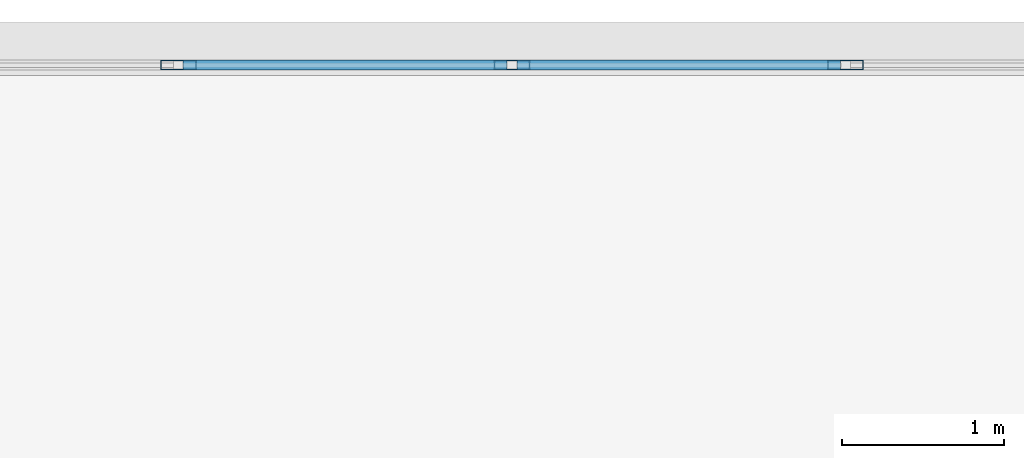
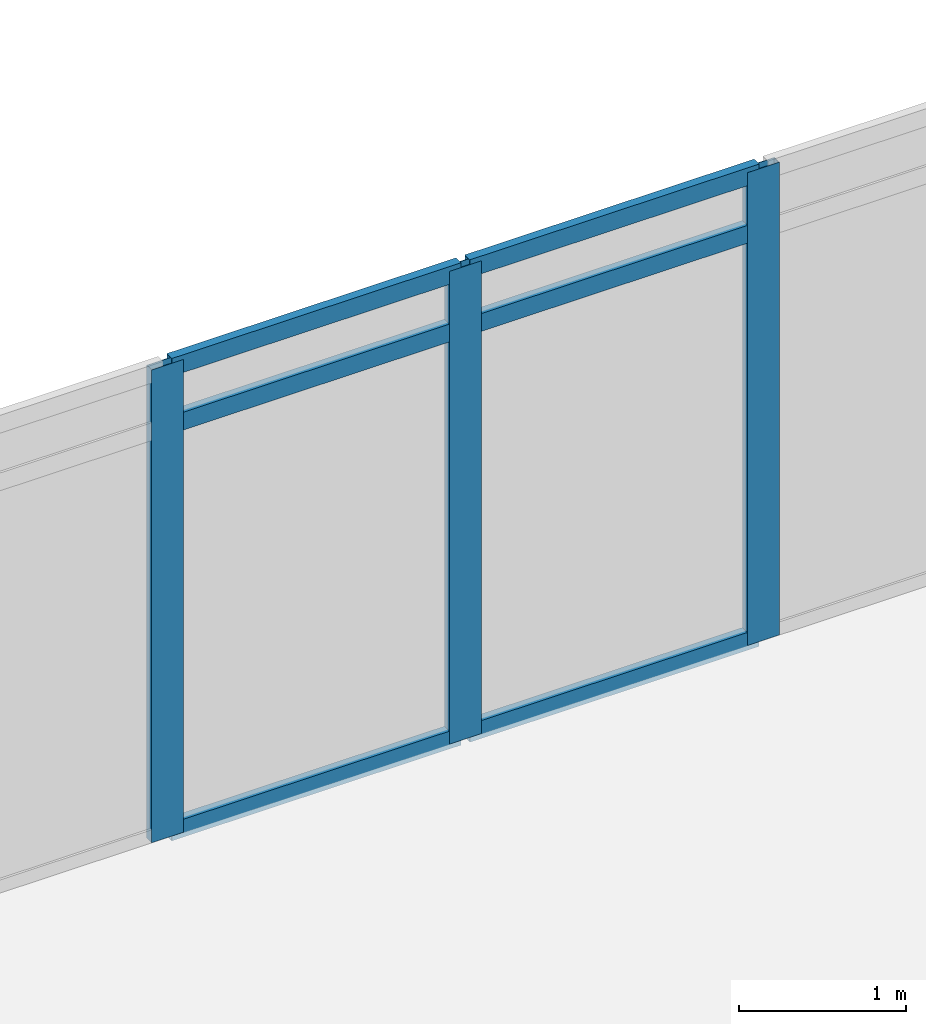
# One storey, part 15 of 28: 9 members, 1 element without a shape of its own.
"""IFC4 building model written with IfcOpenShell, lengths in metres."""

from ifc_helpers import new_model, si_unit, direction, frame, origin, origin_2d, place, context, subcontext, project, spatial, hollow_rectangle, extrude, material, material_profile, profile_set, type_object, element, aggregate, save


model = new_model("IFC4")

# Units and contexts
model_context = context("Model", 3, precision=1e-05, world=origin(), true_north=direction((0.0, 1.0)))
body_context = subcontext(model_context, "Body", "Model", "MODEL_VIEW")
ifc_project = project(units=[si_unit("LENGTHUNIT", "METRE"), si_unit("AREAUNIT", "SQUARE_METRE"), si_unit("VOLUMEUNIT", "CUBIC_METRE"), si_unit("PLANEANGLEUNIT", "RADIAN"), si_unit("MASSUNIT", "GRAM", prefix="KILO")], contexts=[model_context])

# Site, building, storey
site_placement = place(None, origin())
site = spatial("IfcSite", under=ifc_project, at=site_placement, CompositionType="ELEMENT")
building_placement = place(site_placement, origin())
building = spatial("IfcBuilding", under=site, at=building_placement, Name="Ostrander Bayou Hotel Tower", CompositionType="ELEMENT")
storey_placement = place(building_placement, frame((0.0, 0.0, 100.5)))
storey = spatial("IfcBuildingStorey", under=building, at=storey_placement, Name="L25", CompositionType="ELEMENT", Elevation=100.5)

# Curtain wall, members
ifc_material_1 = material(Name="Aluminium and clear glass", Category="aluminium")
curtain_wall_type = type_object("IfcCurtainWallType", Name="CW-BAR glazed wall", PredefinedType="NOTDEFINED", material=ifc_material_1)
curtain_wall_placement = place(storey_placement, origin())
curtain_wall = element("IfcCurtainWall", 1, at=curtain_wall_placement, inside=storey, type_object=curtain_wall_type, Name="CW-BAR L25:SB2N:T", PredefinedType="NOTDEFINED")
ifc_material_2 = material(Name="Aluminium", Category="aluminium")
ifc_material_profile_1 = material_profile(ifc_material_2, hollow_rectangle(XDim=0.06005859375, YDim=0.219970703125, WallThickness=0.00390625, at=origin_2d()))
ifc_profile_set_1 = profile_set([ifc_material_profile_1], Name="Aluminium")
member_type_1 = type_object("IfcMemberType", Name="CW-BR mullion 60 x 220 mm", PredefinedType="MULLION", material=ifc_profile_set_1)
member_1_placement = place(storey_placement, frame((-5.14111328125, 31.4453125, 0.0), z_axis=(0.0, 0.0, 1.0), x_axis=(0.0, 1.0, 0.0)))
member_1 = element("IfcMember", 2, at=member_1_placement, type_object=member_type_1, Name="CW-BAR mullion 5", PredefinedType="MULLION", context=body_context, shape_type="SweptSolid", body=[
    extrude(hollow_rectangle(XDim=0.06005859375, YDim=0.219970703125, WallThickness=0.00390625, at=origin_2d()), origin(), (0.0, 0.0, 1.0), 3.449951171875),
])
member_2_placement = place(storey_placement, frame((-3.084716796875, 31.4453125, 0.0), z_axis=(0.0, 0.0, 1.0), x_axis=(0.0, 1.0, 0.0)))
member_2 = element("IfcMember", 3, at=member_2_placement, type_object=member_type_1, Name="CW-BAR mullion 6", PredefinedType="MULLION", context=body_context, shape_type="SweptSolid", body=[
    extrude(hollow_rectangle(XDim=0.06005859375, YDim=0.219970703125, WallThickness=0.00390625, at=origin_2d()), origin(), (0.0, 0.0, 1.0), 3.449951171875),
])
member_3_placement = place(storey_placement, frame((-1.0283203125, 31.4453125, 0.0), z_axis=(0.0, 0.0, 1.0), x_axis=(0.0, 1.0, 0.0)))
member_3 = element("IfcMember", 4, at=member_3_placement, type_object=member_type_1, Name="CW-BAR mullion 7", PredefinedType="MULLION", context=body_context, shape_type="SweptSolid", body=[
    extrude(hollow_rectangle(XDim=0.06005859375, YDim=0.219970703125, WallThickness=0.00390625, at=origin_2d()), origin(), (0.0, 0.0, 1.0), 3.449951171875),
])
ifc_material_3 = material(Name="Aluminium", Category="aluminium")
ifc_material_profile_2 = material_profile(ifc_material_3, hollow_rectangle(XDim=0.06005859375, YDim=0.1298828125, WallThickness=0.00390625, at=origin_2d()))
ifc_profile_set_2 = profile_set([ifc_material_profile_2], Name="Aluminium")
member_type_2 = type_object("IfcMemberType", Name="CW-BR transom 60 x 130 mm", PredefinedType="USERDEFINED", material=ifc_profile_set_2)
member_4_placement = place(storey_placement, frame((-5.111328125, 31.4453125, 0.030029296875), z_axis=(1.0, 0.0, 0.0), x_axis=(0.0, 1.0, 0.0)))
member_4 = element("IfcMember", 5, at=member_4_placement, type_object=member_type_2, Name="CW-BAR transom 5.1", ObjectType="TRANSOM", PredefinedType="USERDEFINED", context=body_context, shape_type="SweptSolid", body=[
    extrude(hollow_rectangle(XDim=0.06005859375, YDim=0.1298828125, WallThickness=0.00390625, at=origin_2d()), origin(), (0.0, 0.0, 1.0), 1.99658203125),
])
member_5_placement = place(storey_placement, frame((-5.111328125, 31.4453125, 3.0), z_axis=(1.0, 0.0, 0.0), x_axis=(0.0, 1.0, 0.0)))
member_5 = element("IfcMember", 6, at=member_5_placement, type_object=member_type_2, Name="CW-BAR transom 5.2", ObjectType="TRANSOM", PredefinedType="USERDEFINED", context=body_context, shape_type="SweptSolid", body=[
    extrude(hollow_rectangle(XDim=0.06005859375, YDim=0.1298828125, WallThickness=0.00390625, at=origin_2d()), origin(), (0.0, 0.0, 1.0), 1.99658203125),
])
member_6_placement = place(storey_placement, frame((-5.111328125, 31.4453125, 3.419921875), z_axis=(1.0, 0.0, 0.0), x_axis=(0.0, 1.0, 0.0)))
member_6 = element("IfcMember", 7, at=member_6_placement, type_object=member_type_2, Name="CW-BAR transom 5.3", ObjectType="TRANSOM", PredefinedType="USERDEFINED", context=body_context, shape_type="SweptSolid", body=[
    extrude(hollow_rectangle(XDim=0.06005859375, YDim=0.1298828125, WallThickness=0.00390625, at=origin_2d()), origin(), (0.0, 0.0, 1.0), 1.99658203125),
])
member_7_placement = place(storey_placement, frame((-3.0546875, 31.4453125, 0.030029296875), z_axis=(1.0, 0.0, 0.0), x_axis=(0.0, 1.0, 0.0)))
member_7 = element("IfcMember", 8, at=member_7_placement, type_object=member_type_2, Name="CW-BAR transom 6.1", ObjectType="TRANSOM", PredefinedType="USERDEFINED", context=body_context, shape_type="SweptSolid", body=[
    extrude(hollow_rectangle(XDim=0.06005859375, YDim=0.1298828125, WallThickness=0.00390625, at=origin_2d()), origin(), (0.0, 0.0, 1.0), 1.996337890625),
])
member_8_placement = place(storey_placement, frame((-3.0546875, 31.4453125, 3.0), z_axis=(1.0, 0.0, 0.0), x_axis=(0.0, 1.0, 0.0)))
member_8 = element("IfcMember", 9, at=member_8_placement, type_object=member_type_2, Name="CW-BAR transom 6.2", ObjectType="TRANSOM", PredefinedType="USERDEFINED", context=body_context, shape_type="SweptSolid", body=[
    extrude(hollow_rectangle(XDim=0.06005859375, YDim=0.1298828125, WallThickness=0.00390625, at=origin_2d()), origin(), (0.0, 0.0, 1.0), 1.996337890625),
])
member_9_placement = place(storey_placement, frame((-3.0546875, 31.4453125, 3.419921875), z_axis=(1.0, 0.0, 0.0), x_axis=(0.0, 1.0, 0.0)))
member_9 = element("IfcMember", 10, at=member_9_placement, type_object=member_type_2, Name="CW-BAR transom 6.3", ObjectType="TRANSOM", PredefinedType="USERDEFINED", context=body_context, shape_type="SweptSolid", body=[
    extrude(hollow_rectangle(XDim=0.06005859375, YDim=0.1298828125, WallThickness=0.00390625, at=origin_2d()), origin(), (0.0, 0.0, 1.0), 1.996337890625),
])
aggregate(curtain_wall, [member_1, member_2, member_3, member_4, member_5, member_6, member_7, member_8, member_9])

save(model, "model.ifc")
